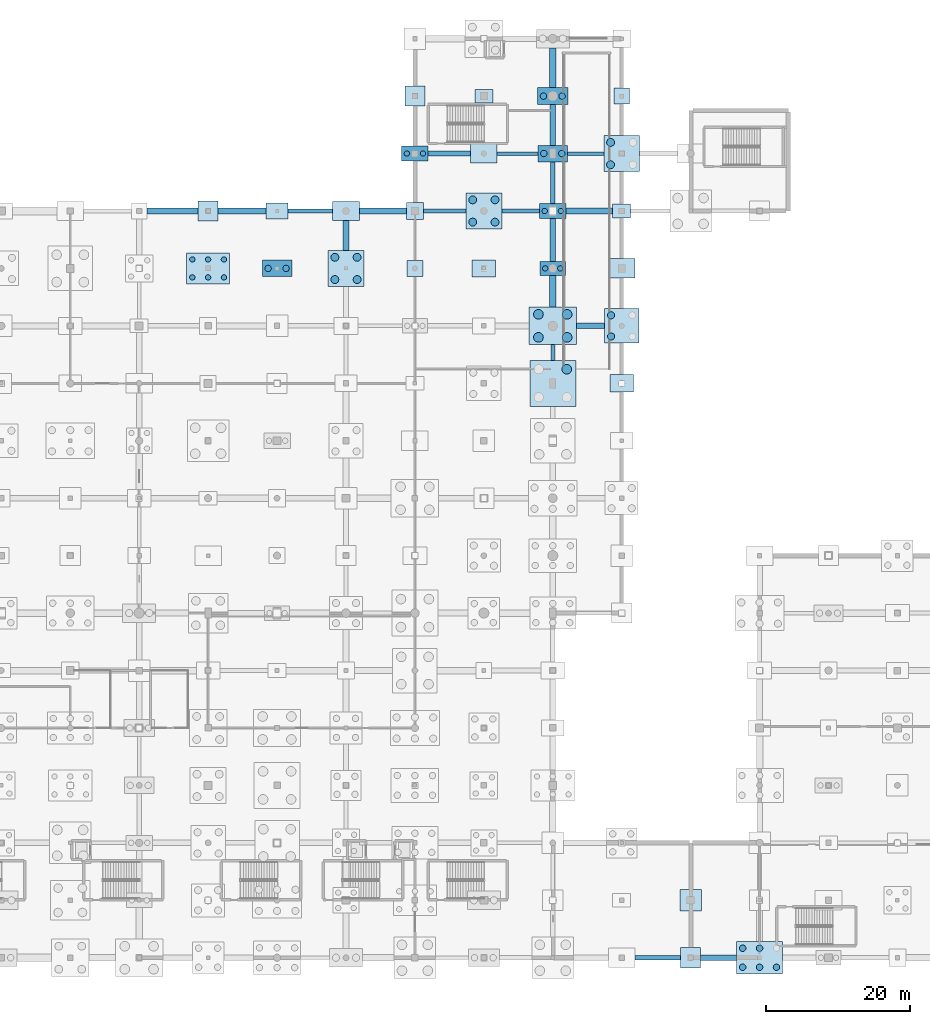
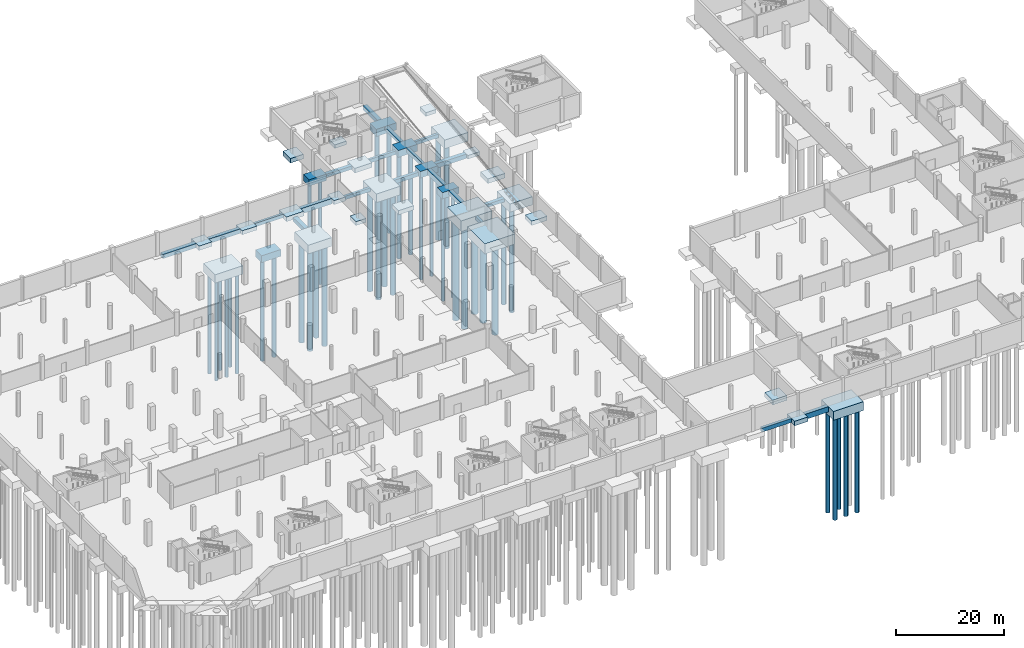
# One storey, part 9 of 44: 49 footings, 40 piles.
"""IFC4 building model written with IfcOpenShell, lengths in metres."""

from ifc_helpers import new_model, si_unit, direction, frame, origin, origin_2d, place, context, subcontext, project, spatial, rectangle, circle, extrude, material, material_profile, profile_set, type_object, element, save


model = new_model("IFC4")

# Units and contexts
model_context = context("Model", 3, precision=1e-05, world=origin(), true_north=direction((0.0, 1.0)))
body_context = subcontext(model_context, "Body", "Model", "MODEL_VIEW")
ifc_project = project(units=[si_unit("LENGTHUNIT", "METRE"), si_unit("AREAUNIT", "SQUARE_METRE"), si_unit("VOLUMEUNIT", "CUBIC_METRE"), si_unit("PLANEANGLEUNIT", "RADIAN"), si_unit("MASSUNIT", "GRAM", prefix="KILO")], contexts=[model_context])

# Site, building, storey
site_placement = place(None, origin())
site = spatial("IfcSite", under=ifc_project, at=site_placement, CompositionType="ELEMENT")
building_placement = place(site_placement, origin())
building = spatial("IfcBuilding", under=site, at=building_placement, Name="Danafjord Basin Convention Centre", CompositionType="ELEMENT")
storey_placement = place(building_placement, frame((0.0, 0.0, -5.39990234375)))
storey = spatial("IfcBuildingStorey", under=building, at=storey_placement, Name="B1", CompositionType="ELEMENT", Elevation=-5.39990234375)

# Footings
ifc_material_1 = material(Name="Concrete C40/50", Category="concrete")
footing_type_1 = type_object("IfcFootingType", Name="CAP-PC-01", PredefinedType="PILE_CAP", material=ifc_material_1)
footing_1_placement = place(storey_placement, frame((115.199951171875, 104.0, -1.400146484375), z_axis=(0.0, 0.0, 1.0), x_axis=(1.0, 0.0, 0.0)))
element("IfcFooting", 1, at=footing_1_placement, inside=storey, type_object=footing_type_1, Name="B1 pile cap PC-01 at (115.2, 104.0)", PredefinedType="PILE_CAP", context=body_context, shape_type="SweptSolid", body=[
    extrude(rectangle(XDim=3.5, YDim=2.0, at=origin_2d()), origin(), (0.0, 0.0, 1.0), 1.39990234375),
])
footing_type_2 = type_object("IfcFootingType", Name="CAP-PC-02", PredefinedType="PILE_CAP", material=ifc_material_1)
for number, where, z_axis, x_axis, name in (
    (2, (96.0, 120.0, -1.4501953125), (0.0, 0.0, 1.0), (1.0, 0.0, 0.0), "B1 pile cap PC-02 at (96.0, 120.0)"),
    (3, (115.199951171875, 112.0, -1.4501953125), (0.0, 0.0, 1.0), (1.0, 0.0, 0.0), "B1 pile cap PC-02 at (115.2, 112.0)"),
):
    element("IfcFooting", number, at=place(storey_placement, frame(where, z_axis=z_axis, x_axis=x_axis)), inside=storey, type_object=footing_type_2, Name=name, PredefinedType="PILE_CAP", context=body_context, shape_type="SweptSolid", body=[
        extrude(rectangle(XDim=3.699951171875, YDim=2.10009765625, at=origin_2d()), origin(), (0.0, 0.0, 1.0), 1.449951171875),
    ])
footing_type_3 = type_object("IfcFootingType", Name="CAP-PC-03", PredefinedType="PILE_CAP", material=ifc_material_1)
for number, where, z_axis, x_axis, name in (
    (4, (76.800048828125, 104.0, -2.14990234375), (0.0, 0.0, 1.0), (1.0, 0.0, 0.0), "B1 pile cap PC-03 at (76.8, 104.0)"),
    (5, (115.199951171875, 120.0, -1.55029296875), (0.0, 0.0, 1.0), (1.0, 0.0, 0.0), "B1 pile cap PC-03 at (115.2, 120.0)"),
):
    element("IfcFooting", number, at=place(storey_placement, frame(where, z_axis=z_axis, x_axis=x_axis)), inside=storey, type_object=footing_type_3, Name=name, PredefinedType="PILE_CAP", context=body_context, shape_type="SweptSolid", body=[
        extrude(rectangle(XDim=4.10009765625, YDim=2.300048828125, at=origin_2d()), origin(), (0.0, 0.0, 1.0), 1.550048828125),
    ])
footing_type_4 = type_object("IfcFootingType", Name="CAP-PC-04", PredefinedType="PILE_CAP", material=ifc_material_1)
footing_2_placement = place(storey_placement, frame((115.199951171875, 128.0, -1.60009765625), z_axis=(0.0, 0.0, 1.0), x_axis=(1.0, 0.0, 0.0)))
element("IfcFooting", 6, at=footing_2_placement, inside=storey, type_object=footing_type_4, Name="B1 pile cap PC-04 at (115.2, 128.0)", PredefinedType="PILE_CAP", context=body_context, shape_type="SweptSolid", body=[
    extrude(rectangle(XDim=4.300048828125, YDim=2.39990234375, at=origin_2d()), origin(), (0.0, 0.0, 1.0), 1.60009765625),
])
footing_type_5 = type_object("IfcFootingType", Name="CAP-PC-11", PredefinedType="PILE_CAP", material=ifc_material_1)
footing_3_placement = place(storey_placement, frame((124.800048828125, 96.0, -1.85009765625), z_axis=(0.0, 0.0, 1.0), x_axis=(1.0, 0.0, 0.0)))
element("IfcFooting", 7, at=footing_3_placement, inside=storey, type_object=footing_type_5, Name="B1 pile cap PC-11 at (124.8, 96.0)", PredefinedType="PILE_CAP", context=body_context, shape_type="SweptSolid", body=[
    extrude(rectangle(XDim=4.800048828125, YDim=4.800048828125, at=origin_2d()), origin(), (0.0, 0.0, 1.0), 1.85009765625),
])
footing_type_6 = type_object("IfcFootingType", Name="CAP-PC-12", PredefinedType="PILE_CAP", material=ifc_material_1)
for number, where, z_axis, x_axis, name in (
    (8, (86.39990234375, 104.0, -2.55029296875), (0.0, 0.0, 1.0), (1.0, 0.0, 0.0), "B1 pile cap PC-12 at (86.4, 104.0)"),
    (9, (105.60009765625, 112.0, -2.55029296875), (0.0, 0.0, 1.0), (1.0, 0.0, 0.0), "B1 pile cap PC-12 at (105.6, 112.0)"),
    (10, (124.800048828125, 120.0, -1.9501953125), (0.0, 0.0, 1.0), (1.0, 0.0, 0.0), "B1 pile cap PC-12 at (124.8, 120.0)"),
):
    element("IfcFooting", number, at=place(storey_placement, frame(where, z_axis=z_axis, x_axis=x_axis)), inside=storey, type_object=footing_type_6, Name=name, PredefinedType="PILE_CAP", context=body_context, shape_type="SweptSolid", body=[
        extrude(rectangle(XDim=5.0, YDim=5.0, at=origin_2d()), origin(), (0.0, 0.0, 1.0), 1.949951171875),
    ])
footing_type_7 = type_object("IfcFootingType", Name="CAP-PC-16", PredefinedType="PILE_CAP", material=ifc_material_1)
footing_4_placement = place(storey_placement, frame((67.199951171875, 104.0, -2.5), z_axis=(0.0, 0.0, 1.0), x_axis=(1.0, 0.0, 0.0)))
element("IfcFooting", 11, at=footing_4_placement, inside=storey, type_object=footing_type_7, Name="B1 pile cap PC-16 at (67.2, 104.0)", PredefinedType="PILE_CAP", context=body_context, shape_type="SweptSolid", body=[
    extrude(rectangle(XDim=6.0, YDim=4.300048828125, at=origin_2d()), origin(), (0.0, 0.0, 1.0), 1.89990234375),
])
footing_type_8 = type_object("IfcFootingType", Name="CAP-PC-17", PredefinedType="PILE_CAP", material=ifc_material_1)
footing_5_placement = place(storey_placement, frame((144.0, 8.0, -2.0), z_axis=(0.0, 0.0, 1.0), x_axis=(1.0, 0.0, 0.0)))
element("IfcFooting", 12, at=footing_5_placement, inside=storey, type_object=footing_type_8, Name="B1 pile cap PC-17 at (144.0, 8.0)", PredefinedType="PILE_CAP", context=body_context, shape_type="SweptSolid", body=[
    extrude(rectangle(XDim=6.39990234375, YDim=4.5, at=origin_2d()), origin(), (0.0, 0.0, 1.0), 2.0),
])
footing_type_9 = type_object("IfcFootingType", Name="CAP-PC-21", PredefinedType="PILE_CAP", material=ifc_material_1)
footing_6_placement = place(storey_placement, frame((115.199951171875, 88.0, -2.30029296875), z_axis=(0.0, 0.0, 1.0), x_axis=(1.0, 0.0, 0.0)))
element("IfcFooting", 13, at=footing_6_placement, inside=storey, type_object=footing_type_9, Name="B1 pile cap PC-21 at (115.2, 88.0)", PredefinedType="PILE_CAP", context=body_context, shape_type="SweptSolid", body=[
    extrude(rectangle(XDim=6.39990234375, YDim=6.39990234375, at=origin_2d()), origin(), (0.0, 0.0, 1.0), 2.300048828125),
])
footing_type_10 = type_object("IfcFootingType", Name="CAP-PC-22", PredefinedType="PILE_CAP", material=ifc_material_1)
footing_7_placement = place(storey_placement, frame((115.199951171875, 96.0, -2.400146484375), z_axis=(0.0, 0.0, 1.0), x_axis=(1.0, 0.0, 0.0)))
element("IfcFooting", 14, at=footing_7_placement, inside=storey, type_object=footing_type_10, Name="B1 pile cap PC-22 at (115.2, 96.0)", PredefinedType="PILE_CAP", context=body_context, shape_type="SweptSolid", body=[
    extrude(rectangle(XDim=6.60009765625, YDim=5.199951171875, at=origin_2d()), origin(), (0.0, 0.0, 1.0), 2.39990234375),
])
ifc_material_profile_1 = material_profile(ifc_material_1, rectangle(XDim=0.800048828125, YDim=1.0, at=origin_2d()), Name="GB 800x1000")
ifc_profile_set_1 = profile_set([ifc_material_profile_1], Name="Concrete C40/50")
footing_type_11 = type_object("IfcFootingType", Name="FBM-FB-01", PredefinedType="FOOTING_BEAM", material=ifc_profile_set_1)
footing_8_placement = place(storey_placement, frame((68.60009765625, 112.0, -0.5), z_axis=(1.0, 0.0, 0.0), x_axis=(0.0, 1.0, 0.0)))
element("IfcFooting", 15, at=footing_8_placement, inside=storey, type_object=footing_type_11, Name="B1 foundation beam FB-01", PredefinedType="FOOTING_BEAM", context=body_context, shape_type="SweptSolid", body=[
    extrude(rectangle(XDim=0.800048828125, YDim=1.0, at=origin_2d()), origin(), (0.0, 0.0, 1.0), 6.64990234375),
])
footing_9_placement = place(storey_placement, frame((117.050048828125, 112.0, -0.5), z_axis=(1.0, 0.0, 0.0), x_axis=(0.0, 1.0, 0.0)))
element("IfcFooting", 16, at=footing_9_placement, inside=storey, type_object=footing_type_11, Name="B1 foundation beam FB-01", PredefinedType="FOOTING_BEAM", context=body_context, shape_type="SweptSolid", body=[
    extrude(rectangle(XDim=0.800048828125, YDim=1.0, at=origin_2d()), origin(), (0.0, 0.0, 1.0), 6.5),
])
ifc_material_profile_2 = material_profile(ifc_material_1, rectangle(XDim=0.60009765625, YDim=0.89990234375, at=origin_2d()), Name="GB 600x900")
ifc_profile_set_2 = profile_set([ifc_material_profile_2], Name="Concrete C40/50")
footing_type_12 = type_object("IfcFootingType", Name="FBM-FB-02", PredefinedType="FOOTING_BEAM", material=ifc_profile_set_2)
footing_10_placement = place(storey_placement, frame((108.10009765625, 112.0, -1.050048828125), z_axis=(1.0, 0.0, 0.0), x_axis=(0.0, 1.0, 0.0)))
element("IfcFooting", 17, at=footing_10_placement, inside=storey, type_object=footing_type_12, Name="B1 foundation beam FB-02", PredefinedType="FOOTING_BEAM", context=body_context, shape_type="SweptSolid", body=[
    extrude(rectangle(XDim=0.60009765625, YDim=0.89990234375, at=origin_2d()), origin(), (0.0, 0.0, 1.0), 5.25),
])
footing_11_placement = place(storey_placement, frame((115.199951171875, 113.050048828125, -0.4501953125), z_axis=(0.0, 1.0, 0.0), x_axis=(-1.0, 0.0, 0.0)))
element("IfcFooting", 18, at=footing_11_placement, inside=storey, type_object=footing_type_12, Name="B1 foundation tie beam FB-02", PredefinedType="FOOTING_BEAM", context=body_context, shape_type="SweptSolid", body=[
    extrude(rectangle(XDim=0.60009765625, YDim=0.89990234375, at=origin_2d()), origin(), (0.0, 0.0, 1.0), 5.800048828125),
])
footing_12_placement = place(storey_placement, frame((126.64990234375, 8.0, -0.4501953125), z_axis=(1.0, 0.0, 0.0), x_axis=(0.0, 1.0, 0.0)))
element("IfcFooting", 19, at=footing_12_placement, inside=storey, type_object=footing_type_12, Name="B1 foundation beam FB-02", PredefinedType="FOOTING_BEAM", context=body_context, shape_type="SweptSolid", body=[
    extrude(rectangle(XDim=0.60009765625, YDim=0.89990234375, at=origin_2d()), origin(), (0.0, 0.0, 1.0), 6.35009765625),
])
ifc_material_profile_3 = material_profile(ifc_material_1, rectangle(XDim=0.5, YDim=0.800048828125, at=origin_2d()), Name="PCB 500x800")
ifc_profile_set_3 = profile_set([ifc_material_profile_3], Name="Concrete C40/50")
footing_type_13 = type_object("IfcFootingType", Name="FBM-FB-03", PredefinedType="FOOTING_BEAM", material=ifc_profile_set_3)
footing_13_placement = place(storey_placement, frame((78.35009765625, 112.0, -0.400146484375), z_axis=(1.0, 0.0, 0.0), x_axis=(0.0, 1.0, 0.0)))
element("IfcFooting", 20, at=footing_13_placement, inside=storey, type_object=footing_type_13, Name="B1 foundation beam FB-03", PredefinedType="FOOTING_BEAM", context=body_context, shape_type="SweptSolid", body=[
    extrude(rectangle(XDim=0.5, YDim=0.800048828125, at=origin_2d()), origin(), (0.0, 0.0, 1.0), 6.199951171875),
])
footing_14_placement = place(storey_placement, frame((97.199951171875, 112.0, -1.0), z_axis=(1.0, 0.0, 0.0), x_axis=(0.0, 1.0, 0.0)))
element("IfcFooting", 21, at=footing_14_placement, inside=storey, type_object=footing_type_13, Name="B1 foundation beam FB-03", PredefinedType="FOOTING_BEAM", context=body_context, shape_type="SweptSolid", body=[
    extrude(rectangle(XDim=0.5, YDim=0.800048828125, at=origin_2d()), origin(), (0.0, 0.0, 1.0), 5.900146484375),
])
footing_15_placement = place(storey_placement, frame((107.449951171875, 120.0, -1.0), z_axis=(1.0, 0.0, 0.0), x_axis=(0.0, 1.0, 0.0)))
element("IfcFooting", 22, at=footing_15_placement, inside=storey, type_object=footing_type_13, Name="B1 foundation beam FB-03", PredefinedType="FOOTING_BEAM", context=body_context, shape_type="SweptSolid", body=[
    extrude(rectangle(XDim=0.5, YDim=0.800048828125, at=origin_2d()), origin(), (0.0, 0.0, 1.0), 5.699951171875),
])
footing_16_placement = place(storey_placement, frame((115.199951171875, 91.199951171875, -0.400146484375), z_axis=(0.0, 1.0, 0.0), x_axis=(-1.0, 0.0, 0.0)))
element("IfcFooting", 23, at=footing_16_placement, inside=storey, type_object=footing_type_13, Name="B1 foundation tie beam FB-03", PredefinedType="FOOTING_BEAM", context=body_context, shape_type="SweptSolid", body=[
    extrude(rectangle(XDim=0.5, YDim=0.800048828125, at=origin_2d()), origin(), (0.0, 0.0, 1.0), 2.199951171875),
])
footing_17_placement = place(storey_placement, frame((117.25, 120.0, -0.400146484375), z_axis=(1.0, 0.0, 0.0), x_axis=(0.0, 1.0, 0.0)))
element("IfcFooting", 24, at=footing_17_placement, inside=storey, type_object=footing_type_13, Name="B1 foundation beam FB-03", PredefinedType="FOOTING_BEAM", context=body_context, shape_type="SweptSolid", body=[
    extrude(rectangle(XDim=0.5, YDim=0.800048828125, at=origin_2d()), origin(), (0.0, 0.0, 1.0), 5.050048828125),
])
ifc_material_profile_4 = material_profile(ifc_material_1, rectangle(XDim=0.75, YDim=0.75, at=origin_2d()), Name="RC 750x750")
ifc_profile_set_4 = profile_set([ifc_material_profile_4], Name="Concrete C40/50")
footing_type_14 = type_object("IfcFootingType", Name="FBM-FB-04", PredefinedType="FOOTING_BEAM", material=ifc_profile_set_4)
footing_18_placement = place(storey_placement, frame((97.85009765625, 120.0, -0.97509765625), z_axis=(1.0, 0.0, 0.0), x_axis=(0.0, 1.0, 0.0)))
element("IfcFooting", 25, at=footing_18_placement, inside=storey, type_object=footing_type_14, Name="B1 foundation beam FB-04", PredefinedType="FOOTING_BEAM", context=body_context, shape_type="SweptSolid", body=[
    extrude(rectangle(XDim=0.75, YDim=0.75, at=origin_2d()), origin(), (0.0, 0.0, 1.0), 5.89990234375),
])
footing_19_placement = place(storey_placement, frame((118.5, 96.0, -0.375), z_axis=(1.0, 0.0, 0.0), x_axis=(0.0, 1.0, 0.0)))
element("IfcFooting", 26, at=footing_19_placement, inside=storey, type_object=footing_type_14, Name="B1 foundation beam FB-04", PredefinedType="FOOTING_BEAM", context=body_context, shape_type="SweptSolid", body=[
    extrude(rectangle(XDim=0.75, YDim=0.75, at=origin_2d()), origin(), (0.0, 0.0, 1.0), 3.89990234375),
])
footing_20_placement = place(storey_placement, frame((115.199951171875, 121.14990234375, -0.375), z_axis=(0.0, 1.0, 0.0), x_axis=(-1.0, 0.0, 0.0)))
element("IfcFooting", 27, at=footing_20_placement, inside=storey, type_object=footing_type_14, Name="B1 foundation tie beam FB-04", PredefinedType="FOOTING_BEAM", context=body_context, shape_type="SweptSolid", body=[
    extrude(rectangle(XDim=0.75, YDim=0.75, at=origin_2d()), origin(), (0.0, 0.0, 1.0), 5.650146484375),
])
ifc_material_profile_5 = material_profile(ifc_material_1, rectangle(XDim=0.89990234375, YDim=0.89990234375, at=origin_2d()), Name="RC 900x900")
ifc_profile_set_5 = profile_set([ifc_material_profile_5], Name="Concrete C40/50")
footing_type_15 = type_object("IfcFootingType", Name="FBM-FB-05", PredefinedType="FOOTING_BEAM", material=ifc_profile_set_5)
footing_21_placement = place(storey_placement, frame((58.699951171875, 112.0, -0.4501953125), z_axis=(1.0, 0.0, 0.0), x_axis=(0.0, 1.0, 0.0)))
element("IfcFooting", 28, at=footing_21_placement, inside=storey, type_object=footing_type_15, Name="B1 foundation beam FB-05", PredefinedType="FOOTING_BEAM", context=body_context, shape_type="SweptSolid", body=[
    extrude(rectangle(XDim=0.89990234375, YDim=0.89990234375, at=origin_2d()), origin(), (0.0, 0.0, 1.0), 7.10009765625),
])
footing_22_placement = place(storey_placement, frame((86.39990234375, 106.5, -1.050048828125), z_axis=(0.0, 1.0, 0.0), x_axis=(-1.0, 0.0, 0.0)))
element("IfcFooting", 29, at=footing_22_placement, inside=storey, type_object=footing_type_15, Name="B1 foundation tie beam FB-05", PredefinedType="FOOTING_BEAM", context=body_context, shape_type="SweptSolid", body=[
    extrude(rectangle(XDim=0.89990234375, YDim=0.89990234375, at=origin_2d()), origin(), (0.0, 0.0, 1.0), 4.14990234375),
])
footing_23_placement = place(storey_placement, frame((115.199951171875, 98.60009765625, -0.4501953125), z_axis=(0.0, 1.0, 0.0), x_axis=(-1.0, 0.0, 0.0)))
element("IfcFooting", 30, at=footing_23_placement, inside=storey, type_object=footing_type_15, Name="B1 foundation tie beam FB-05", PredefinedType="FOOTING_BEAM", context=body_context, shape_type="SweptSolid", body=[
    extrude(rectangle(XDim=0.89990234375, YDim=0.89990234375, at=origin_2d()), origin(), (0.0, 0.0, 1.0), 4.39990234375),
])
footing_24_placement = place(storey_placement, frame((115.199951171875, 129.199951171875, -0.4501953125), z_axis=(0.0, 1.0, 0.0), x_axis=(-1.0, 0.0, 0.0)))
element("IfcFooting", 31, at=footing_24_placement, inside=storey, type_object=footing_type_15, Name="B1 foundation tie beam FB-05", PredefinedType="FOOTING_BEAM", context=body_context, shape_type="SweptSolid", body=[
    extrude(rectangle(XDim=0.89990234375, YDim=0.89990234375, at=origin_2d()), origin(), (0.0, 0.0, 1.0), 5.5),
])
ifc_material_profile_6 = material_profile(ifc_material_1, rectangle(XDim=0.800048828125, YDim=1.199951171875, at=origin_2d()), Name="RC 1200x800")
ifc_profile_set_6 = profile_set([ifc_material_profile_6], Name="Concrete C40/50")
footing_type_16 = type_object("IfcFootingType", Name="FBM-FB-06", PredefinedType="FOOTING_BEAM", material=ifc_profile_set_6)
footing_25_placement = place(storey_placement, frame((88.25, 112.0, -0.60009765625), z_axis=(1.0, 0.0, 0.0), x_axis=(0.0, 1.0, 0.0)))
element("IfcFooting", 32, at=footing_25_placement, inside=storey, type_object=footing_type_16, Name="B1 foundation beam FB-06", PredefinedType="FOOTING_BEAM", context=body_context, shape_type="SweptSolid", body=[
    extrude(rectangle(XDim=0.800048828125, YDim=1.199951171875, at=origin_2d()), origin(), (0.0, 0.0, 1.0), 6.550048828125),
])
footing_26_placement = place(storey_placement, frame((115.199951171875, 105.0, -0.60009765625), z_axis=(0.0, 1.0, 0.0), x_axis=(-1.0, 0.0, 0.0)))
element("IfcFooting", 33, at=footing_26_placement, inside=storey, type_object=footing_type_16, Name="B1 foundation tie beam FB-06", PredefinedType="FOOTING_BEAM", context=body_context, shape_type="SweptSolid", body=[
    extrude(rectangle(XDim=0.800048828125, YDim=1.199951171875, at=origin_2d()), origin(), (0.0, 0.0, 1.0), 5.949951171875),
])
footing_27_placement = place(storey_placement, frame((135.800048828125, 8.0, -0.60009765625), z_axis=(1.0, 0.0, 0.0), x_axis=(0.0, 1.0, 0.0)))
element("IfcFooting", 34, at=footing_27_placement, inside=storey, type_object=footing_type_16, Name="B1 foundation beam FB-06", PredefinedType="FOOTING_BEAM", context=body_context, shape_type="SweptSolid", body=[
    extrude(rectangle(XDim=0.800048828125, YDim=1.199951171875, at=origin_2d()), origin(), (0.0, 0.0, 1.0), 5.0),
])
ifc_material_2 = material(Name="Concrete C35/45", Category="concrete")
footing_type_17 = type_object("IfcFootingType", Name="PAD-PF-02", PredefinedType="PAD_FOOTING", material=ifc_material_2)
for number, where, z_axis, x_axis, name in (
    (35, (96.0, 104.0, -0.85009765625), (0.0, 0.0, 1.0), (1.0, 0.0, 0.0), "B1 pad footing PF-02 at (96.0, 104.0)"),
    (36, (124.800048828125, 128.0, -0.85009765625), (0.0, 0.0, 1.0), (1.0, 0.0, 0.0), "B1 pad footing PF-02 at (124.8, 128.0)"),
):
    element("IfcFooting", number, at=place(storey_placement, frame(where, z_axis=z_axis, x_axis=x_axis)), inside=storey, type_object=footing_type_17, Name=name, PredefinedType="PAD_FOOTING", context=body_context, shape_type="SweptSolid", body=[
        extrude(rectangle(XDim=2.199951171875, YDim=2.199951171875, at=origin_2d()), origin(), (0.0, 0.0, 1.0), 0.85009765625),
    ])
footing_type_18 = type_object("IfcFootingType", Name="PAD-PF-03", PredefinedType="PAD_FOOTING", material=ifc_material_2)
footing_28_placement = place(storey_placement, frame((96.0, 112.0, -0.900146484375), z_axis=(0.0, 0.0, 1.0), x_axis=(1.0, 0.0, 0.0)))
element("IfcFooting", 37, at=footing_28_placement, inside=storey, type_object=footing_type_18, Name="B1 pad footing PF-03 at (96.0, 112.0)", PredefinedType="PAD_FOOTING", context=body_context, shape_type="SweptSolid", body=[
    extrude(rectangle(XDim=2.39990234375, YDim=2.39990234375, at=origin_2d()), origin(), (0.0, 0.0, 1.0), 0.89990234375),
])
footing_type_19 = type_object("IfcFootingType", Name="PAD-PF-05", PredefinedType="PAD_FOOTING", material=ifc_material_2)
for number, where, z_axis, x_axis, name in (
    (38, (67.199951171875, 112.0, -1.0), (0.0, 0.0, 1.0), (1.0, 0.0, 0.0), "B1 pad footing PF-05 at (67.2, 112.0)"),
    (39, (96.0, 128.0, -1.0), (0.0, 0.0, 1.0), (1.0, 0.0, 0.0), "B1 pad footing PF-05 at (96.0, 128.0)"),
    (40, (134.39990234375, 8.0, -1.0), (0.0, 0.0, 1.0), (1.0, 0.0, 0.0), "B1 pad footing PF-05 at (134.4, 8.0)"),
):
    element("IfcFooting", number, at=place(storey_placement, frame(where, z_axis=z_axis, x_axis=x_axis)), inside=storey, type_object=footing_type_19, Name=name, PredefinedType="PAD_FOOTING", context=body_context, shape_type="SweptSolid", body=[
        extrude(rectangle(XDim=2.800048828125, YDim=2.800048828125, at=origin_2d()), origin(), (0.0, 0.0, 1.0), 1.0),
    ])
footing_type_20 = type_object("IfcFootingType", Name="PAD-PF-06", PredefinedType="PAD_FOOTING", material=ifc_material_2)
footing_29_placement = place(storey_placement, frame((134.39990234375, 16.0, -1.05029296875), z_axis=(0.0, 0.0, 1.0), x_axis=(1.0, 0.0, 0.0)))
element("IfcFooting", 41, at=footing_29_placement, inside=storey, type_object=footing_type_20, Name="B1 pad footing PF-06 at (134.4, 16.0)", PredefinedType="PAD_FOOTING", context=body_context, shape_type="SweptSolid", body=[
    extrude(rectangle(XDim=3.0, YDim=3.0, at=origin_2d()), origin(), (0.0, 0.0, 1.0), 1.050048828125),
])
footing_type_21 = type_object("IfcFootingType", Name="PAD-PF-08", PredefinedType="PAD_FOOTING", material=ifc_material_2)
footing_30_placement = place(storey_placement, frame((76.800048828125, 112.0, -0.900146484375), z_axis=(0.0, 0.0, 1.0), x_axis=(1.0, 0.0, 0.0)))
element("IfcFooting", 42, at=footing_30_placement, inside=storey, type_object=footing_type_21, Name="B1 pad footing PF-08 at (76.8, 112.0)", PredefinedType="PAD_FOOTING", context=body_context, shape_type="SweptSolid", body=[
    extrude(rectangle(XDim=3.10009765625, YDim=2.25, at=origin_2d()), origin(), (0.0, 0.0, 1.0), 0.89990234375),
])
footing_type_22 = type_object("IfcFootingType", Name="PAD-PF-09", PredefinedType="PAD_FOOTING", material=ifc_material_2)
for number, where, z_axis, x_axis, name in (
    (43, (105.60009765625, 104.0, -1.55029296875), (0.0, 0.0, 1.0), (1.0, 0.0, 0.0), "B1 pad footing PF-09 at (105.6, 104.0)"),
    (44, (124.800048828125, 88.0, -0.9501953125), (0.0, 0.0, 1.0), (1.0, 0.0, 0.0), "B1 pad footing PF-09 at (124.8, 88.0)"),
):
    element("IfcFooting", number, at=place(storey_placement, frame(where, z_axis=z_axis, x_axis=x_axis)), inside=storey, type_object=footing_type_22, Name=name, PredefinedType="PAD_FOOTING", context=body_context, shape_type="SweptSolid", body=[
        extrude(rectangle(XDim=3.300048828125, YDim=2.39990234375, at=origin_2d()), origin(), (0.0, 0.0, 1.0), 0.949951171875),
    ])
footing_type_23 = type_object("IfcFootingType", Name="PAD-PF-11", PredefinedType="PAD_FOOTING", material=ifc_material_2)
for number, where, z_axis, x_axis, name in (
    (45, (86.39990234375, 112.0, -1.05029296875), (0.0, 0.0, 1.0), (1.0, 0.0, 0.0), "B1 pad footing PF-11 at (86.4, 112.0)"),
    (46, (105.60009765625, 120.0, -1.64990234375), (0.0, 0.0, 1.0), (1.0, 0.0, 0.0), "B1 pad footing PF-11 at (105.6, 120.0)"),
    (47, (124.800048828125, 104.0, -1.05029296875), (0.0, 0.0, 1.0), (1.0, 0.0, 0.0), "B1 pad footing PF-11 at (124.8, 104.0)"),
):
    element("IfcFooting", number, at=place(storey_placement, frame(where, z_axis=z_axis, x_axis=x_axis)), inside=storey, type_object=footing_type_23, Name=name, PredefinedType="PAD_FOOTING", context=body_context, shape_type="SweptSolid", body=[
        extrude(rectangle(XDim=3.699951171875, YDim=2.699951171875, at=origin_2d()), origin(), (0.0, 0.0, 1.0), 1.050048828125),
    ])
footing_type_24 = type_object("IfcFootingType", Name="PAD-PF-12", PredefinedType="PAD_FOOTING", material=ifc_material_2)
for number, where, z_axis, x_axis, name in (
    (48, (105.60009765625, 128.0, -1.39990234375), (0.0, 0.0, 1.0), (1.0, 0.0, 0.0), "B1 pad footing PF-12 at (105.6, 128.0)"),
    (49, (124.800048828125, 112.0, -0.80029296875), (0.0, 0.0, 1.0), (1.0, 0.0, 0.0), "B1 pad footing PF-12 at (124.8, 112.0)"),
):
    element("IfcFooting", number, at=place(storey_placement, frame(where, z_axis=z_axis, x_axis=x_axis)), inside=storey, type_object=footing_type_24, Name=name, PredefinedType="PAD_FOOTING", context=body_context, shape_type="SweptSolid", body=[
        extrude(rectangle(XDim=2.5, YDim=1.89990234375, at=origin_2d()), origin(), (0.0, 0.0, 1.0), 0.800048828125),
    ])

# Piles
ifc_material_profile_7 = material_profile(ifc_material_1, circle(Radius=0.5, at=origin_2d()), Name="PILE D1000")
ifc_profile_set_7 = profile_set([ifc_material_profile_7], Name="Concrete C40/50")
pile_type_1 = type_object("IfcPileType", Name="PILE-PL-1000", PredefinedType="BORED", material=ifc_profile_set_7)
for number, where, z_axis, x_axis, name in (
    (50, (123.324951171875, 94.52490234375, -1.75), (0.0, 0.0, -1.0), (1.0, 0.0, 0.0), "PC-11 bored pile 1-1"),
    (51, (123.324951171875, 97.47509765625, -1.75), (0.0, 0.0, -1.0), (1.0, 0.0, 0.0), "PC-11 bored pile 1-2"),
):
    element("IfcPile", number, at=place(storey_placement, frame(where, z_axis=z_axis, x_axis=x_axis)), inside=storey, type_object=pile_type_1, Name=name, PredefinedType="BORED", context=body_context, shape_type="SweptSolid", body=[
        extrude(circle(Radius=0.5, at=origin_2d()), origin(), (0.0, 0.0, 1.0), 23.35009765625),
    ])
ifc_material_profile_8 = material_profile(ifc_material_1, circle(Radius=0.550048828125, at=origin_2d()), Name="PILE D1100")
ifc_profile_set_8 = profile_set([ifc_material_profile_8], Name="Concrete C40/50")
pile_type_2 = type_object("IfcPileType", Name="PILE-PL-1100", PredefinedType="BORED", material=ifc_profile_set_8)
for number, where, z_axis, x_axis, name in (
    (52, (84.85009765625, 102.449951171875, -2.4501953125), (0.0, 0.0, -1.0), (1.0, 0.0, 0.0), "PC-12 bored pile 1-1"),
    (53, (84.85009765625, 105.550048828125, -2.4501953125), (0.0, 0.0, -1.0), (1.0, 0.0, 0.0), "PC-12 bored pile 1-2"),
    (54, (87.949951171875, 102.449951171875, -2.4501953125), (0.0, 0.0, -1.0), (1.0, 0.0, 0.0), "PC-12 bored pile 2-1"),
    (55, (87.949951171875, 105.550048828125, -2.4501953125), (0.0, 0.0, -1.0), (1.0, 0.0, 0.0), "PC-12 bored pile 2-2"),
    (56, (104.050048828125, 110.449951171875, -2.4501953125), (0.0, 0.0, -1.0), (1.0, 0.0, 0.0), "PC-12 bored pile 1-1"),
    (57, (104.050048828125, 113.550048828125, -2.4501953125), (0.0, 0.0, -1.0), (1.0, 0.0, 0.0), "PC-12 bored pile 1-2"),
    (58, (107.14990234375, 110.449951171875, -2.4501953125), (0.0, 0.0, -1.0), (1.0, 0.0, 0.0), "PC-12 bored pile 2-1"),
    (59, (107.14990234375, 113.550048828125, -2.4501953125), (0.0, 0.0, -1.0), (1.0, 0.0, 0.0), "PC-12 bored pile 2-2"),
):
    element("IfcPile", number, at=place(storey_placement, frame(where, z_axis=z_axis, x_axis=x_axis)), inside=storey, type_object=pile_type_2, Name=name, PredefinedType="BORED", context=body_context, shape_type="SweptSolid", body=[
        extrude(circle(Radius=0.550048828125, at=origin_2d()), origin(), (0.0, 0.0, 1.0), 22.64990234375),
    ])
for number, where, z_axis, x_axis, name in (
    (60, (123.25, 118.449951171875, -1.85009765625), (0.0, 0.0, -1.0), (1.0, 0.0, 0.0), "PC-12 bored pile 1-1"),
    (61, (123.25, 121.550048828125, -1.85009765625), (0.0, 0.0, -1.0), (1.0, 0.0, 0.0), "PC-12 bored pile 1-2"),
):
    element("IfcPile", number, at=place(storey_placement, frame(where, z_axis=z_axis, x_axis=x_axis)), inside=storey, type_object=pile_type_2, Name=name, PredefinedType="BORED", context=body_context, shape_type="SweptSolid", body=[
        extrude(circle(Radius=0.550048828125, at=origin_2d()), origin(), (0.0, 0.0, 1.0), 23.25),
    ])
ifc_material_profile_9 = material_profile(ifc_material_1, circle(Radius=0.675048828125, at=origin_2d()), Name="PILE D1350")
ifc_profile_set_9 = profile_set([ifc_material_profile_9], Name="Concrete C40/50")
pile_type_3 = type_object("IfcPileType", Name="PILE-PL-1350", PredefinedType="BORED", material=ifc_profile_set_9)
pile_placement = place(storey_placement, frame((117.14990234375, 89.949951171875, -2.2001953125), z_axis=(0.0, 0.0, -1.0), x_axis=(1.0, 0.0, 0.0)))
element("IfcPile", 62, at=pile_placement, inside=storey, type_object=pile_type_3, Name="PC-21 bored pile 2-2", PredefinedType="BORED", context=body_context, shape_type="SweptSolid", body=[
    extrude(circle(Radius=0.675048828125, at=origin_2d()), origin(), (0.0, 0.0, 1.0), 22.89990234375),
])
for number, where, z_axis, x_axis, name in (
    (63, (113.199951171875, 94.39990234375, -2.300048828125), (0.0, 0.0, -1.0), (1.0, 0.0, 0.0), "PC-22 bored pile 1-1"),
    (64, (113.199951171875, 97.60009765625, -2.300048828125), (0.0, 0.0, -1.0), (1.0, 0.0, 0.0), "PC-22 bored pile 1-2"),
    (65, (117.199951171875, 94.39990234375, -2.300048828125), (0.0, 0.0, -1.0), (1.0, 0.0, 0.0), "PC-22 bored pile 2-1"),
    (66, (117.199951171875, 97.60009765625, -2.300048828125), (0.0, 0.0, -1.0), (1.0, 0.0, 0.0), "PC-22 bored pile 2-2"),
):
    element("IfcPile", number, at=place(storey_placement, frame(where, z_axis=z_axis, x_axis=x_axis)), inside=storey, type_object=pile_type_3, Name=name, PredefinedType="BORED", context=body_context, shape_type="SweptSolid", body=[
        extrude(circle(Radius=0.675048828125, at=origin_2d()), origin(), (0.0, 0.0, 1.0), 22.800048828125),
    ])
ifc_material_profile_10 = material_profile(ifc_material_1, circle(Radius=0.375, at=origin_2d()), Name="PILE D750")
ifc_profile_set_10 = profile_set([ifc_material_profile_10], Name="Concrete C40/50")
pile_type_4 = type_object("IfcPileType", Name="PILE-PL-750", PredefinedType="BORED", material=ifc_profile_set_10)
for number, where, z_axis, x_axis, name in (
    (67, (65.0, 102.75, -2.400146484375), (0.0, 0.0, -1.0), (1.0, 0.0, 0.0), "PC-16 bored pile 1-1"),
    (68, (65.0, 105.25, -2.400146484375), (0.0, 0.0, -1.0), (1.0, 0.0, 0.0), "PC-16 bored pile 1-2"),
    (69, (67.199951171875, 102.75, -2.400146484375), (0.0, 0.0, -1.0), (1.0, 0.0, 0.0), "PC-16 bored pile 2-1"),
    (70, (67.199951171875, 105.25, -2.400146484375), (0.0, 0.0, -1.0), (1.0, 0.0, 0.0), "PC-16 bored pile 2-2"),
    (71, (69.39990234375, 102.75, -2.400146484375), (0.0, 0.0, -1.0), (1.0, 0.0, 0.0), "PC-16 bored pile 3-1"),
    (72, (69.39990234375, 105.25, -2.400146484375), (0.0, 0.0, -1.0), (1.0, 0.0, 0.0), "PC-16 bored pile 3-2"),
):
    element("IfcPile", number, at=place(storey_placement, frame(where, z_axis=z_axis, x_axis=x_axis)), inside=storey, type_object=pile_type_4, Name=name, PredefinedType="BORED", context=body_context, shape_type="SweptSolid", body=[
        extrude(circle(Radius=0.375, at=origin_2d()), origin(), (0.0, 0.0, 1.0), 22.699951171875),
    ])
for number, where, z_axis, x_axis, name in (
    (73, (94.875, 120.0, -1.35009765625), (0.0, 0.0, -1.0), (1.0, 0.0, 0.0), "PC-02 bored pile 1-1"),
    (74, (97.125, 120.0, -1.35009765625), (0.0, 0.0, -1.0), (1.0, 0.0, 0.0), "PC-02 bored pile 2-1"),
):
    element("IfcPile", number, at=place(storey_placement, frame(where, z_axis=z_axis, x_axis=x_axis)), inside=storey, type_object=pile_type_4, Name=name, PredefinedType="BORED", context=body_context, shape_type="SweptSolid", body=[
        extrude(circle(Radius=0.375, at=origin_2d()), origin(), (0.0, 0.0, 1.0), 23.75),
    ])
for number, where, z_axis, x_axis, name in (
    (75, (114.14990234375, 104.0, -1.300048828125), (0.0, 0.0, -1.0), (1.0, 0.0, 0.0), "PC-01 bored pile 1-1"),
    (76, (116.25, 104.0, -1.300048828125), (0.0, 0.0, -1.0), (1.0, 0.0, 0.0), "PC-01 bored pile 2-1"),
):
    element("IfcPile", number, at=place(storey_placement, frame(where, z_axis=z_axis, x_axis=x_axis)), inside=storey, type_object=pile_type_4, Name=name, PredefinedType="BORED", context=body_context, shape_type="SweptSolid", body=[
        extrude(circle(Radius=0.375, at=origin_2d()), origin(), (0.0, 0.0, 1.0), 23.800048828125),
    ])
for number, where, z_axis, x_axis, name in (
    (77, (114.074951171875, 112.0, -1.35009765625), (0.0, 0.0, -1.0), (1.0, 0.0, 0.0), "PC-02 bored pile 1-1"),
    (78, (116.324951171875, 112.0, -1.35009765625), (0.0, 0.0, -1.0), (1.0, 0.0, 0.0), "PC-02 bored pile 2-1"),
):
    element("IfcPile", number, at=place(storey_placement, frame(where, z_axis=z_axis, x_axis=x_axis)), inside=storey, type_object=pile_type_4, Name=name, PredefinedType="BORED", context=body_context, shape_type="SweptSolid", body=[
        extrude(circle(Radius=0.375, at=origin_2d()), origin(), (0.0, 0.0, 1.0), 23.75),
    ])
ifc_material_profile_11 = material_profile(ifc_material_1, circle(Radius=0.449951171875, at=origin_2d()), Name="PILE D900")
ifc_profile_set_11 = profile_set([ifc_material_profile_11], Name="Concrete C40/50")
pile_type_5 = type_object("IfcPileType", Name="PILE-PL-900", PredefinedType="BORED", material=ifc_profile_set_11)
for number, where, z_axis, x_axis, name in (
    (79, (75.550048828125, 104.0, -2.050048828125), (0.0, 0.0, -1.0), (1.0, 0.0, 0.0), "PC-03 bored pile 1-1"),
    (80, (78.050048828125, 104.0, -2.050048828125), (0.0, 0.0, -1.0), (1.0, 0.0, 0.0), "PC-03 bored pile 2-1"),
):
    element("IfcPile", number, at=place(storey_placement, frame(where, z_axis=z_axis, x_axis=x_axis)), inside=storey, type_object=pile_type_5, Name=name, PredefinedType="BORED", context=body_context, shape_type="SweptSolid", body=[
        extrude(circle(Radius=0.449951171875, at=origin_2d()), origin(), (0.0, 0.0, 1.0), 23.050048828125),
    ])
for number, where, z_axis, x_axis, name in (
    (81, (113.949951171875, 120.0, -1.4501953125), (0.0, 0.0, -1.0), (1.0, 0.0, 0.0), "PC-03 bored pile 1-1"),
    (82, (116.449951171875, 120.0, -1.4501953125), (0.0, 0.0, -1.0), (1.0, 0.0, 0.0), "PC-03 bored pile 2-1"),
):
    element("IfcPile", number, at=place(storey_placement, frame(where, z_axis=z_axis, x_axis=x_axis)), inside=storey, type_object=pile_type_5, Name=name, PredefinedType="BORED", context=body_context, shape_type="SweptSolid", body=[
        extrude(circle(Radius=0.449951171875, at=origin_2d()), origin(), (0.0, 0.0, 1.0), 23.64990234375),
    ])
for number, where, z_axis, x_axis, name in (
    (83, (113.89990234375, 128.0, -1.5), (0.0, 0.0, -1.0), (1.0, 0.0, 0.0), "PC-04 bored pile 1-1"),
    (84, (116.5, 128.0, -1.5), (0.0, 0.0, -1.0), (1.0, 0.0, 0.0), "PC-04 bored pile 2-1"),
):
    element("IfcPile", number, at=place(storey_placement, frame(where, z_axis=z_axis, x_axis=x_axis)), inside=storey, type_object=pile_type_5, Name=name, PredefinedType="BORED", context=body_context, shape_type="SweptSolid", body=[
        extrude(circle(Radius=0.449951171875, at=origin_2d()), origin(), (0.0, 0.0, 1.0), 23.60009765625),
    ])
for number, where, z_axis, x_axis, name in (
    (85, (141.64990234375, 6.675048828125, -1.900146484375), (0.0, 0.0, -1.0), (1.0, 0.0, 0.0), "PC-17 bored pile 1-1"),
    (86, (141.64990234375, 9.324951171875, -1.900146484375), (0.0, 0.0, -1.0), (1.0, 0.0, 0.0), "PC-17 bored pile 1-2"),
    (87, (144.0, 6.675048828125, -1.900146484375), (0.0, 0.0, -1.0), (1.0, 0.0, 0.0), "PC-17 bored pile 2-1"),
    (88, (144.0, 9.324951171875, -1.900146484375), (0.0, 0.0, -1.0), (1.0, 0.0, 0.0), "PC-17 bored pile 2-2"),
    (89, (146.35009765625, 6.675048828125, -1.900146484375), (0.0, 0.0, -1.0), (1.0, 0.0, 0.0), "PC-17 bored pile 3-1"),
):
    element("IfcPile", number, at=place(storey_placement, frame(where, z_axis=z_axis, x_axis=x_axis)), inside=storey, type_object=pile_type_5, Name=name, PredefinedType="BORED", context=body_context, shape_type="SweptSolid", body=[
        extrude(circle(Radius=0.449951171875, at=origin_2d()), origin(), (0.0, 0.0, 1.0), 23.199951171875),
    ])

save(model, "model.ifc")
